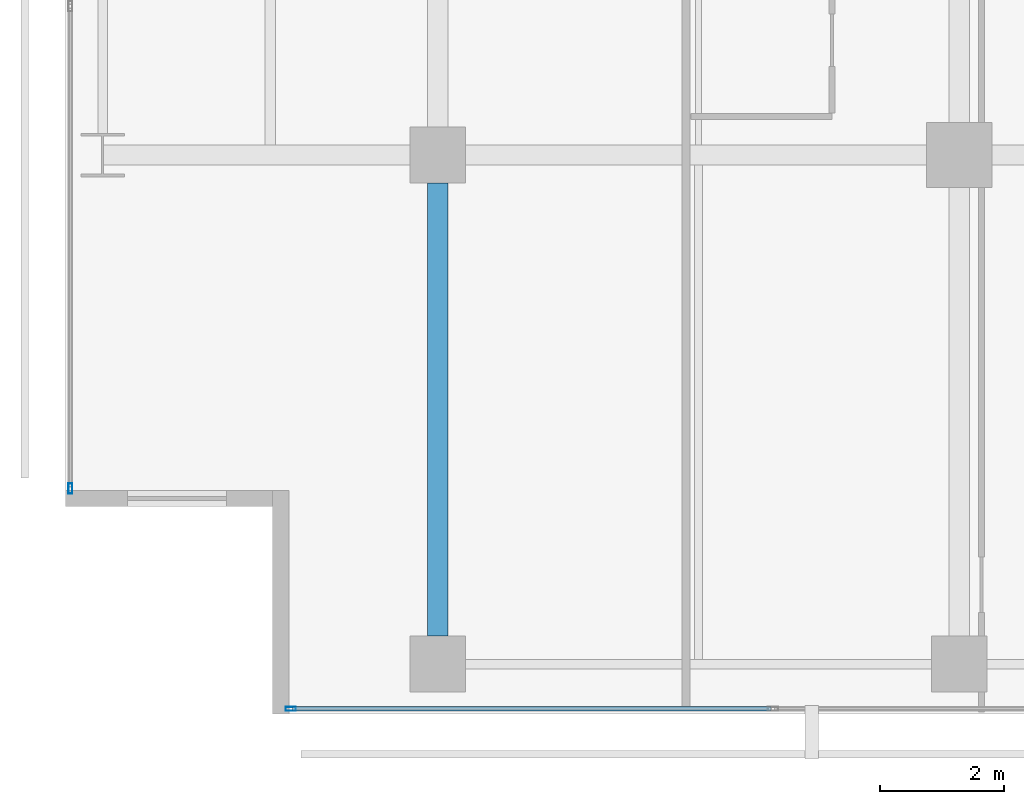
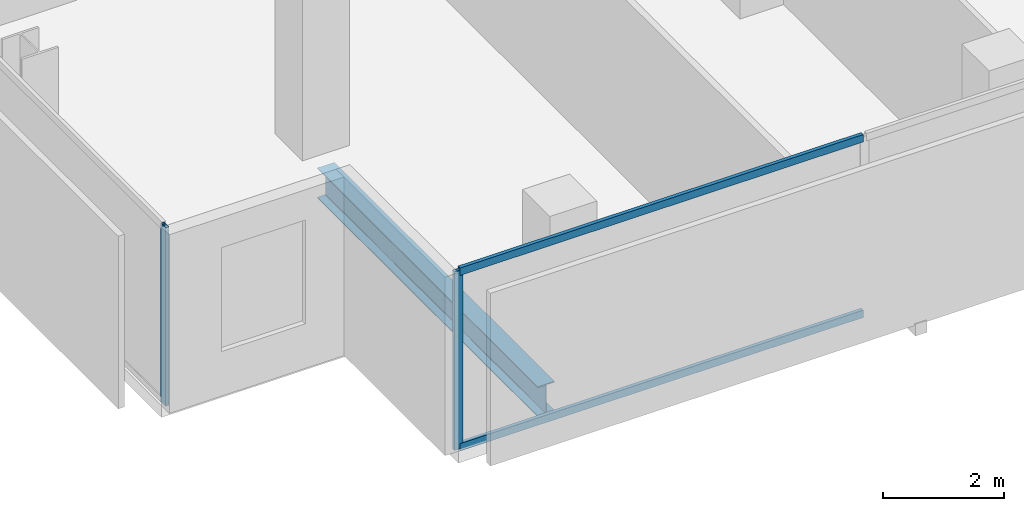
# One storey, part 2 of 40: 4 members, 1 beam, 2 elements without a shape of their own.
"""IFC4 building model written with IfcOpenShell, lengths in metres."""

from ifc_helpers import new_model, si_unit, direction, frame, origin, origin_2d, place, context, subcontext, project, spatial, hollow_rectangle, i_section, extrude, material, layer, layer_set, material_profile, profile_set, type_object, element, aggregate, save


model = new_model("IFC4")

# Units and contexts
model_context = context("Model", 3, precision=1e-05, world=origin(), true_north=direction((0.0, 1.0)))
body_context = subcontext(model_context, "Body", "Model", "MODEL_VIEW")
ifc_project = project(units=[si_unit("LENGTHUNIT", "METRE"), si_unit("AREAUNIT", "SQUARE_METRE"), si_unit("VOLUMEUNIT", "CUBIC_METRE"), si_unit("PLANEANGLEUNIT", "RADIAN"), si_unit("MASSUNIT", "GRAM", prefix="KILO")], contexts=[model_context])

# Site, building, storey
site_placement = place(None, origin())
site = spatial("IfcSite", under=ifc_project, at=site_placement, CompositionType="ELEMENT")
building_placement = place(site_placement, origin())
building = spatial("IfcBuilding", under=site, at=building_placement, Name="Maruvema Waterfront Hotel and Observation Tower", CompositionType="ELEMENT")
storey_placement = place(building_placement, frame((0.0, 0.0, 96.25)))
storey = spatial("IfcBuildingStorey", under=building, at=storey_placement, Name="L23", CompositionType="ELEMENT", Elevation=96.25)

# Curtain wall, members
ifc_material_1 = material(Name="Anodised bronze aluminium and solar-control low-E IGU", Category="aluminium")
ifc_layer = layer(ifc_material_1, 0.159912109375, Name="Zone 1 Bronze Inner Thermal Curtain Wall System CW-02")
ifc_layer_set = layer_set([ifc_layer], Name="Anodised bronze aluminium and solar-control low-E IGU")
curtain_wall_type = type_object("IfcCurtainWallType", Name="Zone 1 Bronze Inner Thermal Curtain Wall System CW-02", PredefinedType="USERDEFINED", material=ifc_layer_set)
curtain_wall_1_placement = place(storey_placement, origin())
curtain_wall_1 = element("IfcCurtainWall", 1, at=curtain_wall_1_placement, inside=storey, type_object=curtain_wall_type, Name="L23 Curtain Wall CW-L23-S", ObjectType="UNITISED CURTAIN WALL", PredefinedType="USERDEFINED")
ifc_material_2 = material(Name="Anodised architectural bronze aluminium", Category="aluminium")
ifc_material_profile_1 = material_profile(ifc_material_2, hollow_rectangle(XDim=0.070068359375, YDim=0.14990234375, WallThickness=0.00390625, at=origin_2d()), Name="ALU-T70x150")
ifc_profile_set_1 = profile_set([ifc_material_profile_1], Name="Anodised architectural bronze aluminium")
member_type_1 = type_object("IfcMemberType", Name="Curtain Wall Horizontal Transom ALU-T70x150", PredefinedType="USERDEFINED", material=ifc_profile_set_1)
member_1_placement = place(storey_placement, frame((14.4599609375, 0.080078125, 0.030029296875), z_axis=(1.0, 0.0, 0.0), x_axis=(0.0, 1.0, 0.0)))
member_1 = element("IfcMember", 2, at=member_1_placement, type_object=member_type_1, Name="CW-02 transom 1.1", ObjectType="TRANSOM", PredefinedType="USERDEFINED", context=body_context, shape_type="SweptSolid", body=[
    extrude(hollow_rectangle(XDim=0.070068359375, YDim=0.14990234375, WallThickness=0.00390625, at=origin_2d()), origin(), (0.0, 0.0, 1.0), 7.7099609375),
])
member_2_placement = place(storey_placement, frame((14.4599609375, 0.080078125, 3.580078125), z_axis=(1.0, 0.0, 0.0), x_axis=(0.0, 1.0, 0.0)))
member_2 = element("IfcMember", 3, at=member_2_placement, type_object=member_type_1, Name="CW-02 transom 1.2", ObjectType="TRANSOM", PredefinedType="USERDEFINED", context=body_context, shape_type="SweptSolid", body=[
    extrude(hollow_rectangle(XDim=0.070068359375, YDim=0.14990234375, WallThickness=0.00390625, at=origin_2d()), origin(), (0.0, 0.0, 1.0), 7.7099609375),
])
ifc_material_3 = material(Name="Anodised architectural bronze aluminium", Category="aluminium")
ifc_material_profile_2 = material_profile(ifc_material_3, hollow_rectangle(XDim=0.06494140625, YDim=0.1650390625, WallThickness=0.00390625, at=origin_2d()), Name="ALU-M65x165")
ifc_profile_set_2 = profile_set([ifc_material_profile_2], Name="Anodised architectural bronze aluminium")
member_type_2 = type_object("IfcMemberType", Name="Curtain Wall Primary Mullion ALU-M65x165", PredefinedType="MULLION", material=ifc_profile_set_2)
member_3_placement = place(storey_placement, frame((14.429931640625, 0.080078125, 0.0), z_axis=(0.0, 0.0, 1.0), x_axis=(0.0, 1.0, 0.0)))
member_3 = element("IfcMember", 4, at=member_3_placement, type_object=member_type_2, Name="CW-02 mullion 1", PredefinedType="MULLION", context=body_context, shape_type="SweptSolid", body=[
    extrude(hollow_rectangle(XDim=0.06494140625, YDim=0.1650390625, WallThickness=0.00390625, at=origin_2d()), origin(), (0.0, 0.0, 1.0), 3.610107421875),
])
aggregate(curtain_wall_1, [member_3, member_1, member_2])

# Curtain wall, member
curtain_wall_2_placement = place(storey_placement, origin())
curtain_wall_2 = element("IfcCurtainWall", 5, at=curtain_wall_2_placement, inside=storey, type_object=curtain_wall_type, Name="L23 Curtain Wall CW-L23-W", ObjectType="UNITISED CURTAIN WALL", PredefinedType="USERDEFINED")
member_4_placement = place(storey_placement, frame((10.8798828125, 3.6298828125, 0.0), z_axis=(0.0, 0.0, 1.0), x_axis=(1.0, 0.0, 0.0)))
member_4 = element("IfcMember", 6, at=member_4_placement, type_object=member_type_2, Name="CW-02 mullion 7", PredefinedType="MULLION", context=body_context, shape_type="SweptSolid", body=[
    extrude(hollow_rectangle(XDim=0.06494140625, YDim=0.1650390625, WallThickness=0.00390625, at=origin_2d()), origin(), (0.0, 0.0, 1.0), 3.610107421875),
])
aggregate(curtain_wall_2, [member_4])

# Beam
ifc_material_4 = material(Name="Steel ASTM A572 Grade 50", Category="steel")
ifc_material_profile_3 = material_profile(ifc_material_4, i_section(OverallWidth=0.323974609375, OverallDepth=0.611083984375, WebThickness=0.0126953125, FlangeThickness=0.01904296875, FilletRadius=0.01806640625, at=origin_2d()), Name="W610x155.0")
ifc_profile_set_3 = profile_set([ifc_material_profile_3], Name="Steel ASTM A572 Grade 50")
beam_type = type_object("IfcBeamType", Name="Primary Floor Girder W610x155.0", PredefinedType="BEAM", material=ifc_profile_set_3)
beam_placement = place(storey_placement, frame((16.800048828125, 1.25, -0.54541015625), z_axis=(0.0, 1.0, 0.0), x_axis=(-1.0, 0.0, 0.0)))
element("IfcBeam", 7, at=beam_placement, inside=storey, type_object=beam_type, Name="L23 Floor Girder NS-05", PredefinedType="BEAM", context=body_context, shape_type="SweptSolid", body=[
    extrude(i_section(OverallWidth=0.323974609375, OverallDepth=0.611083984375, WebThickness=0.0126953125, FlangeThickness=0.01904296875, FilletRadius=0.01806640625, at=origin_2d()), origin(), (0.0, 0.0, 1.0), 7.300048828125),
])

save(model, "model.ifc")
